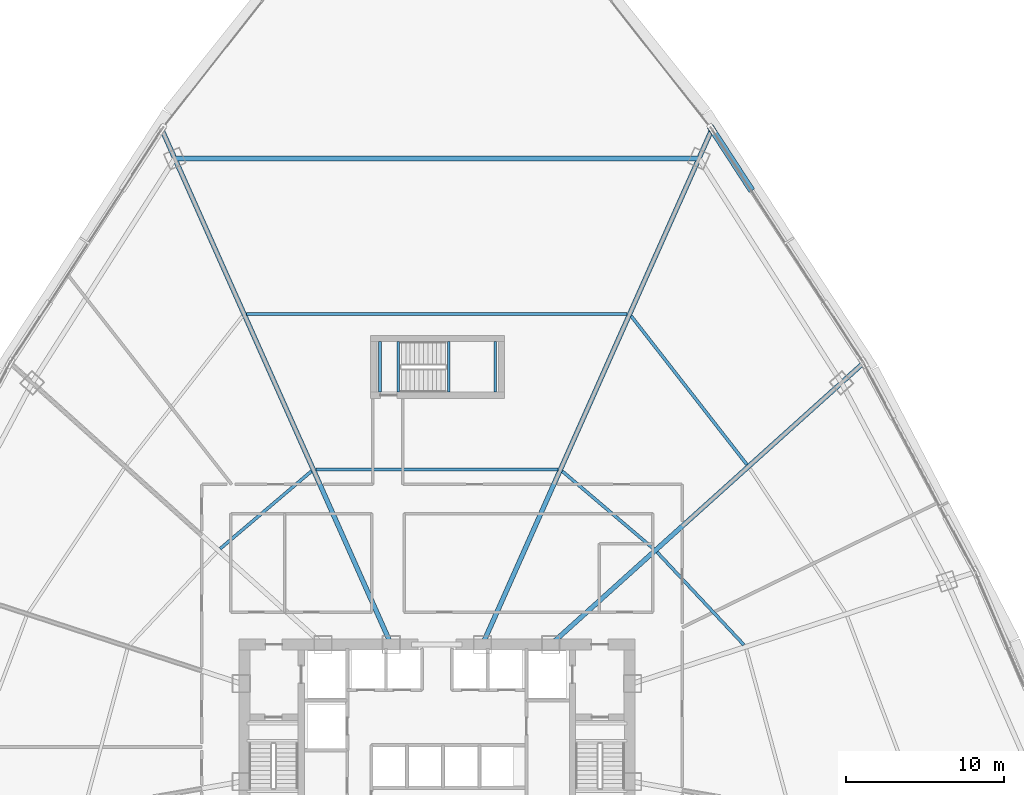
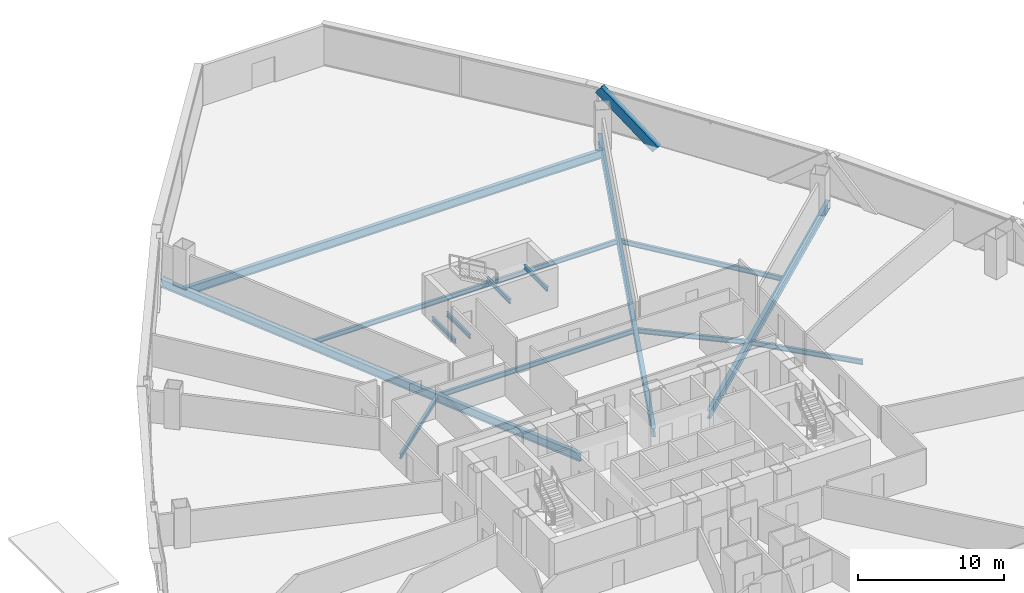
# One storey, part 18 of 38: 14 beams, 1 member.
"""IFC4 building model written with IfcOpenShell, lengths in metres."""

from ifc_helpers import new_model, si_unit, direction, frame, origin, origin_2d, place, context, subcontext, project, spatial, hollow_rectangle, i_section, extrude, source, transform, mapped, material, material_profile, profile_set, type_object, element, save


model = new_model("IFC4")

# Units and contexts
model_context = context("Model", 3, precision=1e-05, world=origin(), true_north=direction((0.0, 1.0)))
body_context = subcontext(model_context, "Body", "Model", "MODEL_VIEW")
ifc_project = project(units=[si_unit("LENGTHUNIT", "METRE"), si_unit("AREAUNIT", "SQUARE_METRE"), si_unit("VOLUMEUNIT", "CUBIC_METRE"), si_unit("PLANEANGLEUNIT", "RADIAN"), si_unit("MASSUNIT", "GRAM", prefix="KILO"), si_unit("THERMODYNAMICTEMPERATUREUNIT", "KELVIN"), si_unit("POWERUNIT", "WATT")], contexts=[model_context])

# Site, building, storey
site_placement = place(None, origin())
site = spatial("IfcSite", under=ifc_project, at=site_placement, CompositionType="ELEMENT")
building_placement = place(site_placement, origin())
building = spatial("IfcBuilding", under=site, at=building_placement, Name="Yunzhuo Pagoda Commons", CompositionType="ELEMENT")
storey_placement = place(building_placement, frame((0.0, 0.0, 30.39990234375)))
storey = spatial("IfcBuildingStorey", under=building, at=storey_placement, Name="L07", CompositionType="ELEMENT", Elevation=30.39990234375)

# Beams
ifc_material_1 = material(Name="Structural steel Q355B", Category="steel")
ifc_material_profile_1 = material_profile(ifc_material_1, i_section(OverallWidth=0.175048828125, OverallDepth=0.35009765625, WebThickness=0.007080078125, FlangeThickness=0.010986328125, at=origin_2d()), Name="Structural steel Q355B")
ifc_profile_set_1 = profile_set([ifc_material_profile_1], Name="Structural steel Q355B")
beam_type_1 = type_object("IfcBeamType", Name="B-JS2 Joist HN 350x175x7x11", PredefinedType="JOIST", material=ifc_profile_set_1)
shared_shape_1 = source(origin(), body_context, "Body", "SweptSolid", [
    extrude(i_section(OverallWidth=0.175048828125, OverallDepth=0.35009765625, WebThickness=0.007080078125, FlangeThickness=0.010986328125, at=origin_2d()), origin(), (0.0, 0.0, 1.0), 3.199951171875),
])
for number, where, z_axis, x_axis, name in (
    (1, (48.75, 56.199951171875, 1.440185546875), (0.0, 1.0, 0.0), (-1.0, 0.0, 0.0), "L07 ST3 landing support beam 11A"),
    (2, (51.699951171875, 56.199951171875, 1.440185546875), (0.0, 1.0, 0.0), (-1.0, 0.0, 0.0), "L07 ST3 landing support beam 11B"),
    (3, (44.39990234375, 56.199951171875, -0.375), (0.0, 1.0, 0.0), (-1.0, 0.0, 0.0), "L07 ST3 landing support beam 81A"),
    (4, (45.550048828125, 56.199951171875, -0.375), (0.0, 1.0, 0.0), (-1.0, 0.0, 0.0), "L07 ST3 landing support beam 81B"),
):
    element("IfcBeam", number, at=place(storey_placement, frame(where, z_axis=z_axis, x_axis=x_axis)), inside=storey, type_object=beam_type_1, Name=name, PredefinedType="JOIST", context=body_context, shape_type="MappedRepresentation", body=[
        mapped(shared_shape_1, transform((0.0, 0.0, 0.0), scale=1.0)),
    ])
ifc_material_profile_2 = material_profile(ifc_material_1, i_section(OverallWidth=0.300048828125, OverallDepth=0.699951171875, WebThickness=0.012939453125, FlangeThickness=0.02392578125, at=origin_2d()), Name="Structural steel Q355B")
ifc_profile_set_2 = profile_set([ifc_material_profile_2], Name="Structural steel Q355B")
beam_type_2 = type_object("IfcBeamType", Name="B-RG1 Beam HN 700x300x13x24", PredefinedType="BEAM", material=ifc_profile_set_2)
shared_shape_2 = source(origin(), body_context, "Body", "SweptSolid", [
    extrude(i_section(OverallWidth=0.300048828125, OverallDepth=0.699951171875, WebThickness=0.012939453125, FlangeThickness=0.02392578125, at=origin_2d()), origin(), (0.0, 0.0, 1.0), 33.2216796875),
])
beam_1_placement = place(storey_placement, frame((64.61083984375, 71.008544921875, -0.60986328125), z_axis=(-1.0, 0.0, 0.0), x_axis=(0.0, -1.0, 0.0)))
element("IfcBeam", 5, at=beam_1_placement, inside=storey, type_object=beam_type_2, Name="L07 column-ring beam 8", PredefinedType="BEAM", context=body_context, shape_type="MappedRepresentation", body=[
    mapped(shared_shape_2, transform((0.0, 0.0, 0.0), scale=1.0)),
])
shared_shape_3 = source(origin(), body_context, "Body", "SweptSolid", [
    extrude(i_section(OverallWidth=0.300048828125, OverallDepth=0.699951171875, WebThickness=0.012939453125, FlangeThickness=0.02392578125, at=origin_2d()), origin(), (0.0, 0.0, 1.0), 26.538818359375),
])
beam_2_placement = place(storey_placement, frame((74.941162109375, 57.9580078125, -0.60986328125), z_axis=(-0.743142261506, -0.669133453927, 0.0), x_axis=(0.669133453927, -0.743142261506, 0.0)))
element("IfcBeam", 6, at=beam_2_placement, inside=storey, type_object=beam_type_2, Name="L07 radial floor girder F2C3", PredefinedType="BEAM", context=body_context, shape_type="MappedRepresentation", body=[
    mapped(shared_shape_3, transform((0.0, 0.0, 0.0), scale=1.0)),
])
shared_shape_4 = source(origin(), body_context, "Body", "SweptSolid", [
    extrude(i_section(OverallWidth=0.300048828125, OverallDepth=0.699951171875, WebThickness=0.012939453125, FlangeThickness=0.02392578125, at=origin_2d()), origin(), (0.0, 0.0, 1.0), 35.606201171875),
])
for number, where, z_axis, x_axis, name in (
    (7, (65.376220703125, 72.727783203125, -0.60986328125), (-0.406733217326, -0.913546982877, 0.0), (0.913546982877, -0.406733217326, 0.0), "L07 radial floor girder F2C4"),
    (8, (30.623779296875, 72.727783203125, -0.60986328125), (0.406733217326, -0.913546982877, 0.0), (0.913546982877, 0.406733217326, 0.0), "L07 radial floor girder F3C1"),
):
    element("IfcBeam", number, at=place(storey_placement, frame(where, z_axis=z_axis, x_axis=x_axis)), inside=storey, type_object=beam_type_2, Name=name, PredefinedType="BEAM", context=body_context, shape_type="MappedRepresentation", body=[
        mapped(shared_shape_4, transform((0.0, 0.0, 0.0), scale=1.0)),
    ])
ifc_material_profile_3 = material_profile(ifc_material_1, i_section(OverallWidth=0.199951171875, OverallDepth=0.39990234375, WebThickness=0.008056640625, FlangeThickness=0.012939453125, at=origin_2d()), Name="Structural steel Q355B")
ifc_profile_set_3 = profile_set([ifc_material_profile_3], Name="Structural steel Q355B")
beam_type_3 = type_object("IfcBeamType", Name="B-JS1 Joist HN 400x200x8x13", PredefinedType="JOIST", material=ifc_profile_set_3)
shared_shape_5 = source(origin(), body_context, "Body", "SweptSolid", [
    extrude(i_section(OverallWidth=0.199951171875, OverallDepth=0.39990234375, WebThickness=0.008056640625, FlangeThickness=0.012939453125, at=origin_2d()), origin(), (0.0, 0.0, 1.0), 8.055908203125),
])
beam_3_placement = place(storey_placement, frame((67.468017578125, 40.177001953125, -0.4599609375), z_axis=(-0.683432879027, 0.730013355949, 0.0), x_axis=(-0.730013355949, -0.683432879027, 0.0)))
element("IfcBeam", 9, at=beam_3_placement, inside=storey, type_object=beam_type_3, Name="L07 composite ring joist 1.6", PredefinedType="JOIST", context=body_context, shape_type="MappedRepresentation", body=[
    mapped(shared_shape_5, transform((0.0, 0.0, 0.0), scale=1.0)),
])
shared_shape_6 = source(origin(), body_context, "Body", "SweptSolid", [
    extrude(i_section(OverallWidth=0.199951171875, OverallDepth=0.39990234375, WebThickness=0.008056640625, FlangeThickness=0.012939453125, at=origin_2d()), origin(), (0.0, 0.0, 1.0), 7.583984375),
])
for number, where, z_axis, x_axis, name in (
    (10, (61.732421875, 46.277099609375, -0.4599609375), (-0.762037799133, 0.647532541803, 0.0), (-0.647532541803, -0.762037799133, 0.0), "L07 composite ring joist 1.7"),
    (11, (40.046875, 51.18798828125, -0.4599609375), (-0.762037799133, -0.647532541803, 0.0), (0.647532541803, -0.762037799133, 0.0), "L07 composite ring joist 1.9"),
):
    element("IfcBeam", number, at=place(storey_placement, frame(where, z_axis=z_axis, x_axis=x_axis)), inside=storey, type_object=beam_type_3, Name=name, PredefinedType="JOIST", context=body_context, shape_type="MappedRepresentation", body=[
        mapped(shared_shape_6, transform((0.0, 0.0, 0.0), scale=1.0)),
    ])
shared_shape_7 = source(origin(), body_context, "Body", "SweptSolid", [
    extrude(i_section(OverallWidth=0.199951171875, OverallDepth=0.39990234375, WebThickness=0.008056640625, FlangeThickness=0.012939453125, at=origin_2d()), origin(), (0.0, 0.0, 1.0), 11.9345703125),
])
beam_4_placement = place(storey_placement, frame((67.65380859375, 51.609619140625, -0.4599609375), z_axis=(-0.614572048085, 0.788860696012, 0.0), x_axis=(-0.788860696012, -0.614572048085, 0.0)))
element("IfcBeam", 12, at=beam_4_placement, inside=storey, type_object=beam_type_3, Name="L07 composite ring joist 2.7", PredefinedType="JOIST", context=body_context, shape_type="MappedRepresentation", body=[
    mapped(shared_shape_7, transform((0.0, 0.0, 0.0), scale=1.0)),
])
shared_shape_8 = source(origin(), body_context, "Body", "SweptSolid", [
    extrude(i_section(OverallWidth=0.199951171875, OverallDepth=0.39990234375, WebThickness=0.008056640625, FlangeThickness=0.012939453125, at=origin_2d()), origin(), (0.0, 0.0, 1.0), 15.34619140625),
])
beam_5_placement = place(storey_placement, frame((55.673095703125, 51.291015625, -0.4599609375), z_axis=(-1.0, 0.0, 0.0), x_axis=(0.0, -1.0, 0.0)))
element("IfcBeam", 13, at=beam_5_placement, inside=storey, type_object=beam_type_3, Name="L07 composite ring joist 1.8", PredefinedType="JOIST", context=body_context, shape_type="MappedRepresentation", body=[
    mapped(shared_shape_8, transform((0.0, 0.0, 0.0), scale=1.0)),
])
shared_shape_9 = source(origin(), body_context, "Body", "SweptSolid", [
    extrude(i_section(OverallWidth=0.199951171875, OverallDepth=0.39990234375, WebThickness=0.008056640625, FlangeThickness=0.012939453125, at=origin_2d()), origin(), (0.0, 0.0, 1.0), 24.125),
])
beam_6_placement = place(storey_placement, frame((60.0625, 61.14990234375, -0.4599609375), z_axis=(-1.0, 0.0, 0.0), x_axis=(0.0, -1.0, 0.0)))
element("IfcBeam", 14, at=beam_6_placement, inside=storey, type_object=beam_type_3, Name="L07 composite ring joist 2.8", PredefinedType="JOIST", context=body_context, shape_type="MappedRepresentation", body=[
    mapped(shared_shape_9, transform((0.0, 0.0, 0.0), scale=1.0)),
])

# Member
ifc_material_2 = material(Name="Structural steel Q420B", Category="steel")
ifc_material_profile_4 = material_profile(ifc_material_2, hollow_rectangle(XDim=0.419921875, YDim=0.719970703125, WallThickness=0.028076171875, at=origin_2d()), Name="Structural steel Q420B")
ifc_profile_set_4 = profile_set([ifc_material_profile_4], Name="Structural steel Q420B")
member_type = type_object("IfcMemberType", Name="M-DL1 Brace BOX 720x420x28", PredefinedType="BRACE", material=ifc_profile_set_4)
shared_shape_10 = source(origin(), body_context, "Body", "SweptSolid", [
    extrude(hollow_rectangle(XDim=0.419921875, YDim=0.719970703125, WallThickness=0.028076171875, at=origin_2d()), origin(), (0.0, 0.0, 1.0), 5.715087890625),
])
member_placement = place(storey_placement, frame((67.843505859375, 69.167724609375, -0.260009765625), z_axis=(-0.420655830268, 0.647708306949, 0.635234304467), x_axis=(-0.838653334706, -0.544665570957, 0.0)))
element("IfcMember", 15, at=member_placement, inside=storey, type_object=member_type, Name="L07 facade diamond brace F2.3R", PredefinedType="BRACE", context=body_context, shape_type="MappedRepresentation", body=[
    mapped(shared_shape_10, transform((0.0, 0.0, 0.0), scale=1.0)),
])

save(model, "model.ifc")
